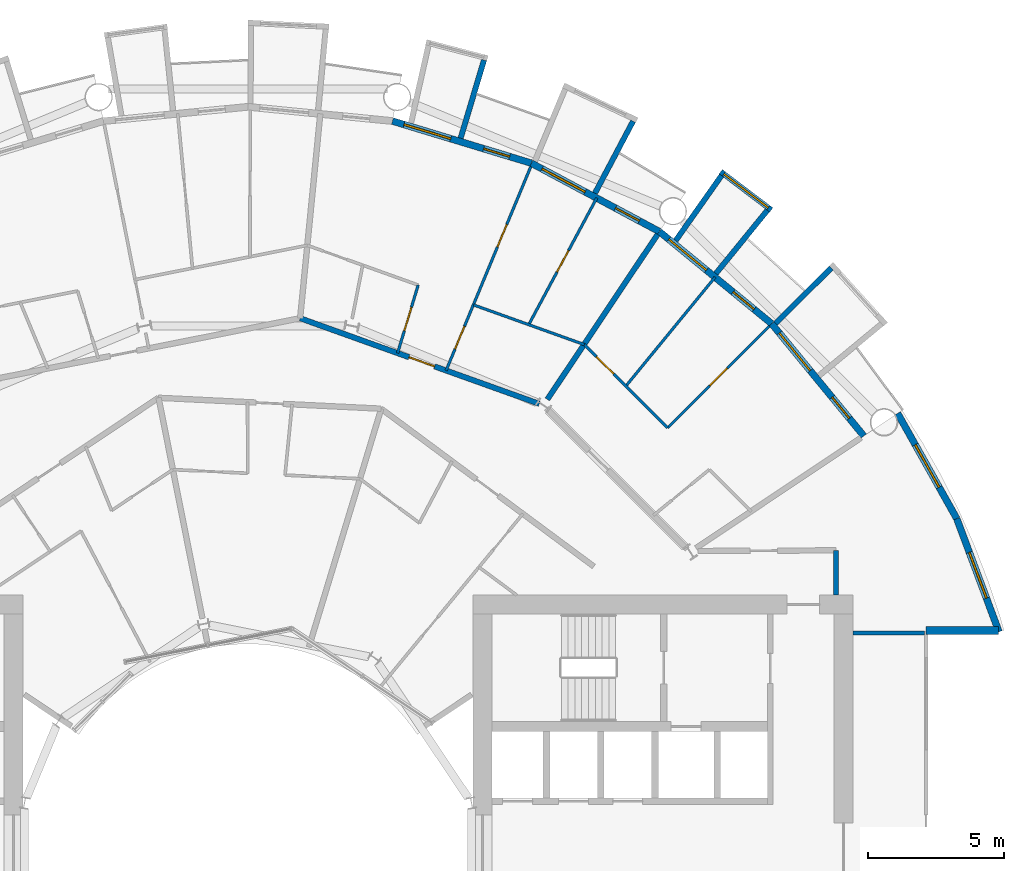
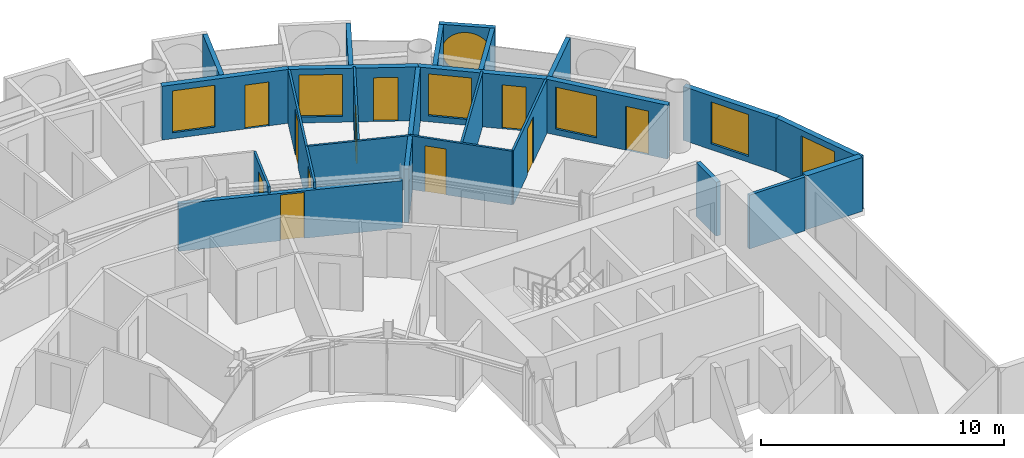
# One storey, part 22 of 26: 24 walls, 11 doors, 7 windows, 18 openings.
"""IFC4 building model written with IfcOpenShell, lengths in metres."""

from ifc_helpers import new_model, si_unit, direction, frame, frame_2d, origin, place, context, subcontext, project, spatial, rectangle, circle, extrude, material, layer, layer_set, type_object, element, fill, save


model = new_model("IFC4")

# Units and contexts
model_context = context("Model", 3, precision=1e-05, world=origin(), true_north=direction((0.0, 1.0)))
body_context = subcontext(model_context, "Body", "Model", "MODEL_VIEW")
ifc_project = project(units=[si_unit("LENGTHUNIT", "METRE"), si_unit("AREAUNIT", "SQUARE_METRE"), si_unit("VOLUMEUNIT", "CUBIC_METRE"), si_unit("PLANEANGLEUNIT", "RADIAN"), si_unit("MASSUNIT", "GRAM", prefix="KILO")], contexts=[model_context])

# Site, building, storey
site_placement = place(None, origin())
site = spatial("IfcSite", under=ifc_project, at=site_placement, CompositionType="ELEMENT")
building_placement = place(site_placement, origin())
building = spatial("IfcBuilding", under=site, at=building_placement, Name="Maasbend Ring Residences", CompositionType="ELEMENT")
storey_placement = place(building_placement, frame((0.0, 0.0, 63.60009765625)))
storey = spatial("IfcBuildingStorey", under=building, at=storey_placement, Name="L17", CompositionType="ELEMENT", Elevation=63.60009765625)

# Wall
ifc_material_1 = material(Name="Concrete C30/37", Category="concrete")
ifc_layer_1 = layer(ifc_material_1, 0.199951171875)
ifc_layer_set_1 = layer_set([ifc_layer_1], Name="Concrete C30/37")
wall_type_1 = type_object("IfcWallType", Name="CORRIDOR WALL 200 CONCRETE", PredefinedType="PARTITIONING", material=ifc_layer_set_1)
wall_1_placement = place(storey_placement, frame((21.675048828125, 9.300048828125, 0.0), z_axis=(0.0, 0.0, 1.0), x_axis=(0.0, 1.0, 0.0)))
element("IfcWall", 1, at=wall_1_placement, inside=storey, type_object=wall_type_1, Name="U-L17-w006", PredefinedType="PARTITIONING", context=body_context, shape_type="SweptSolid", body=[
    extrude(rectangle(XDim=1.64990234375, YDim=0.199951171875, at=frame_2d((0.824951171875, 0.0))), origin(), (0.0, 0.0, 1.0), 2.699951171875),
])

# Wall, opening, door
wall_2_placement = place(storey_placement, frame((1.924072265625, 19.5048828125, 0.0), z_axis=(0.0, 0.0, 1.0), x_axis=(0.941497449807, -0.337020106237, 0.0)))
wall_2 = element("IfcWall", 2, at=wall_2_placement, inside=storey, type_object=wall_type_1, Name="U-L17-w106", PredefinedType="PARTITIONING", context=body_context, shape_type="SweptSolid", body=[
    extrude(rectangle(XDim=9.36376953125, YDim=0.199951171875, at=frame_2d((4.681884765625, 0.0))), origin(), (0.0, 0.0, 1.0), 2.3798828125),
])
opening_1_placement = place(wall_2_placement, frame((4.259033203125, 0.0, 0.0)))
opening_1 = element("IfcOpeningElement", 3, at=opening_1_placement, cuts=wall_2, Name="Opening D-1705", PredefinedType="OPENING", context=body_context, shape_type="SweptSolid", body=[
    extrude(rectangle(XDim=1.0, YDim=2.300048828125, at=frame_2d((0.5, 1.14990234375))), frame((0.0, 0.10986328125, 0.0), z_axis=(0.0, -1.0, 0.0), x_axis=(1.0, 0.0, 0.0)), (0.0, 0.0, 1.0), 0.219970703125),
])
ifc_material_2 = material(Name="Timber, fire-rated, painted", Category="wood")
door_type_1 = type_object("IfcDoorType", Name="FLAT ENTRANCE DOOR 1000 X 2300 FIRE-RATED", OperationType="NOTDEFINED", PredefinedType="DOOR", material=ifc_material_2)
door_1_placement = place(opening_1_placement, origin())
door_1 = element("IfcDoor", 4, at=door_1_placement, inside=storey, type_object=door_type_1, Name="D-1705", OperationType="SINGLE_SWING_RIGHT", OverallHeight=2.300048828125, OverallWidth=1.0, PredefinedType="DOOR", context=body_context, shape_type="SweptSolid", body=[
    extrude(rectangle(XDim=1.0, YDim=2.300048828125, at=frame_2d((0.5, 1.14990234375))), frame((0.0, 0.02490234375, 0.0), z_axis=(0.0, -1.0, 0.0), x_axis=(1.0, 0.0, 0.0)), (0.0, 0.0, 1.0), 0.050048828125),
])
fill(opening_1, door_1)

# Wall
ifc_material_3 = material(Name="Pale anodised aluminium panel", Category="aluminium")
ifc_layer_2 = layer(ifc_material_3, 0.199951171875)
ifc_layer_set_2 = layer_set([ifc_layer_2], Name="EW-BOX")
wall_type_2 = type_object("IfcWallType", Name="EW-BOX", PredefinedType="SOLIDWALL", material=ifc_layer_set_2)
wall_3_placement = place(storey_placement, frame((19.449951171875, 19.322998046875, -0.030029296875), z_axis=(0.0, 0.0, 1.0), x_axis=(0.709727076896, 0.704476739375, 0.0)))
element("IfcWall", 5, at=wall_3_placement, inside=storey, type_object=wall_type_2, Name="Box side wall N02 right", PredefinedType="SOLIDWALL", context=body_context, shape_type="SweptSolid", body=[
    extrude(rectangle(XDim=2.883056640625, YDim=0.199951171875, at=frame_2d((1.44140625, 0.0))), origin(), (0.0, 0.0, 1.0), 2.72998046875),
])

# Wall, opening, window
wall_4_placement = place(storey_placement, frame((19.2890625, 23.4970703125, -0.030029296875), z_axis=(0.0, 0.0, 1.0), x_axis=(-0.796842165306, 0.60418752353, 0.0)))
wall_4 = element("IfcWall", 6, at=wall_4_placement, inside=storey, type_object=wall_type_2, Name="Box front N04", PredefinedType="SOLIDWALL", context=body_context, shape_type="SweptSolid", body=[
    extrude(rectangle(XDim=2.3369140625, YDim=0.199951171875, at=frame_2d((1.16845703125, 0.0))), origin(), (0.0, 0.0, 1.0), 2.72998046875),
])
opening_2_placement = place(wall_4_placement, frame((0.128173828125, 0.0, 0.330078125)))
opening_2 = element("IfcOpeningElement", 7, at=opening_2_placement, cuts=wall_4, Name="Opening W-RD", PredefinedType="OPENING", context=body_context, shape_type="SweptSolid", body=[
    extrude(circle(Radius=1.0400390625, at=frame_2d((1.0400390625, 1.0400390625))), frame((0.0, 0.10986328125, 0.0), z_axis=(0.0, -1.0, 0.0), x_axis=(1.0, 0.0, 0.0)), (0.0, 0.0, 1.0), 0.219970703125),
])
ifc_material_4 = material(Name="Aluminium and clear glass", Category="aluminium")
window_type_1 = type_object("IfcWindowType", Name="W-RD", PartitioningType="SINGLE_PANEL", PredefinedType="WINDOW", material=ifc_material_4)
window_1_placement = place(opening_2_placement, origin())
window_1 = element("IfcWindow", 8, at=window_1_placement, inside=storey, type_object=window_type_1, Name="Round window N04", OverallHeight=2.080078125, OverallWidth=2.080078125, PartitioningType="SINGLE_PANEL", PredefinedType="WINDOW", context=body_context, shape_type="SweptSolid", body=[
    extrude(circle(Radius=1.0400390625, at=frame_2d((1.0400390625, 1.0400390625))), frame((0.0, 0.030029296875, 0.0), z_axis=(0.0, -1.0, 0.0), x_axis=(1.0, 0.0, 0.0)), (0.0, 0.0, 1.0), 0.06005859375),
])
fill(opening_2, window_1)

# Walls
wall_5_placement = place(storey_placement, frame((17.24609375, 21.155029296875, -0.030029296875), z_axis=(0.0, 0.0, 1.0), x_axis=(0.631741648902, 0.775179004516, 0.0)))
element("IfcWall", 9, at=wall_5_placement, inside=storey, type_object=wall_type_2, Name="Box side wall N04 left", PredefinedType="SOLIDWALL", context=body_context, shape_type="SweptSolid", body=[
    extrude(rectangle(XDim=3.005859375, YDim=0.199951171875, at=frame_2d((1.5029296875, 0.0))), origin(), (0.0, 0.0, 1.0), 2.72998046875),
])
wall_6_placement = place(storey_placement, frame((15.764892578125, 22.3701171875, -0.030029296875), z_axis=(0.0, 0.0, 1.0), x_axis=(0.576274612209, 0.817256123454, 0.0)))
element("IfcWall", 10, at=wall_6_placement, inside=storey, type_object=wall_type_2, Name="Box side wall N04 right", PredefinedType="SOLIDWALL", context=body_context, shape_type="SweptSolid", body=[
    extrude(rectangle(XDim=2.932861328125, YDim=0.199951171875, at=frame_2d((1.46630859375, 0.0))), origin(), (0.0, 0.0, 1.0), 2.72998046875),
])
wall_7_placement = place(storey_placement, frame((12.787109375, 24.113037109375, -0.030029296875), z_axis=(0.0, 0.0, 1.0), x_axis=(0.468365282436, 0.883534924159, 0.0)))
element("IfcWall", 11, at=wall_7_placement, inside=storey, type_object=wall_type_2, Name="Box side wall N06 left", PredefinedType="SOLIDWALL", context=body_context, shape_type="SweptSolid", body=[
    extrude(rectangle(XDim=3.006103515625, YDim=0.199951171875, at=frame_2d((1.5029296875, 0.0))), origin(), (0.0, 0.0, 1.0), 2.72998046875),
])
wall_8_placement = place(storey_placement, frame((7.8369140625, 26.14404296875, -0.030029296875), z_axis=(0.0, 0.0, 1.0), x_axis=(0.287064767992, 0.957911174889, 0.0)))
element("IfcWall", 12, at=wall_8_placement, inside=storey, type_object=wall_type_2, Name="Box side wall N08 left", PredefinedType="SOLIDWALL", context=body_context, shape_type="SweptSolid", body=[
    extrude(rectangle(XDim=3.00634765625, YDim=0.199951171875, at=frame_2d((1.503173828125, 0.0))), origin(), (0.0, 0.0, 1.0), 2.72998046875),
])

# Wall, openings, door, window
ifc_material_5 = material(Name="Aluminium clad insulated panel", Category="aluminium")
ifc_layer_3 = layer(ifc_material_5, 0.25)
ifc_layer_set_3 = layer_set([ifc_layer_3], Name="EW-GL")
wall_type_3 = type_object("IfcWallType", Name="EW-GL", PredefinedType="SOLIDWALL", material=ifc_layer_set_3)
wall_9_placement = place(storey_placement, frame((22.698974609375, 15.1669921875, 0.0), z_axis=(0.0, 0.0, 1.0), x_axis=(-0.634382322723, 0.773019449054, 0.0)))
wall_9 = element("IfcWall", 13, at=wall_9_placement, inside=storey, type_object=wall_type_3, Name="External wall N01", PredefinedType="SOLIDWALL", context=body_context, shape_type="SweptSolid", body=[
    extrude(rectangle(XDim=5.351806640625, YDim=0.25, at=frame_2d((2.67578125, 0.0))), origin(), (0.0, 0.0, 1.0), 2.699951171875),
])
opening_3_placement = place(wall_9_placement, frame((0.841064453125, 0.0, 0.0)))
opening_3 = element("IfcOpeningElement", 14, at=opening_3_placement, cuts=wall_9, Name="Opening D-LG", PredefinedType="OPENING", context=body_context, shape_type="SweptSolid", body=[
    extrude(rectangle(XDim=1.0, YDim=2.199951171875, at=frame_2d((0.5, 1.10009765625))), frame((0.0, 0.135009765625, 0.0), z_axis=(0.0, -1.0, 0.0), x_axis=(1.0, 0.0, 0.0)), (0.0, 0.0, 1.0), 0.27001953125),
])
opening_4_placement = place(wall_9_placement, frame((3.110595703125, 0.0, 0.300048828125)))
opening_4 = element("IfcOpeningElement", 15, at=opening_4_placement, cuts=wall_9, Name="Opening W-BX", PredefinedType="OPENING", context=body_context, shape_type="SweptSolid", body=[
    extrude(rectangle(XDim=1.800048828125, YDim=2.10009765625, at=frame_2d((0.89990234375, 1.050048828125))), frame((0.0, 0.135009765625, 0.0), z_axis=(0.0, -1.0, 0.0), x_axis=(1.0, 0.0, 0.0)), (0.0, 0.0, 1.0), 0.27001953125),
])
ifc_material_6 = material(Name="Aluminium and clear glass", Category="aluminium")
door_type_2 = type_object("IfcDoorType", Name="D-LG", OperationType="SINGLE_SWING_LEFT", PredefinedType="DOOR", material=ifc_material_6)
door_2_placement = place(opening_3_placement, origin())
door_2 = element("IfcDoor", 16, at=door_2_placement, inside=storey, type_object=door_type_2, Name="Loggia door N01", OperationType="SINGLE_SWING_LEFT", OverallHeight=2.199951171875, OverallWidth=1.0, PredefinedType="DOOR", context=body_context, shape_type="SweptSolid", body=[
    extrude(rectangle(XDim=1.0, YDim=2.199951171875, at=frame_2d((0.5, 1.10009765625))), frame((0.0, 0.02490234375, 0.0), z_axis=(0.0, -1.0, 0.0), x_axis=(1.0, 0.0, 0.0)), (0.0, 0.0, 1.0), 0.050048828125),
])
fill(opening_3, door_2)
ifc_material_7 = material(Name="Aluminium and clear glass", Category="aluminium")
window_type_2 = type_object("IfcWindowType", Name="W-BX", PartitioningType="DOUBLE_PANEL_VERTICAL", PredefinedType="WINDOW", material=ifc_material_7)
window_2_placement = place(opening_4_placement, origin())
window_2 = element("IfcWindow", 17, at=window_2_placement, inside=storey, type_object=window_type_2, Name="Window N02 room to box", OverallHeight=2.10009765625, OverallWidth=1.800048828125, PartitioningType="SINGLE_PANEL", PredefinedType="WINDOW", context=body_context, shape_type="SweptSolid", body=[
    extrude(rectangle(XDim=1.800048828125, YDim=2.10009765625, at=frame_2d((0.89990234375, 1.050048828125))), frame((0.0, 0.030029296875, 0.0), z_axis=(0.0, -1.0, 0.0), x_axis=(1.0, 0.0, 0.0)), (0.0, 0.0, 1.0), 0.06005859375),
])
fill(opening_4, window_2)

wall_10_placement = place(storey_placement, frame((19.303955078125, 19.303955078125, 0.0), z_axis=(0.0, 0.0, 1.0), x_axis=(-0.773019449054, 0.634382322723, 0.0)))
wall_10 = element("IfcWall", 18, at=wall_10_placement, inside=storey, type_object=wall_type_3, Name="External wall N02", PredefinedType="SOLIDWALL", context=body_context, shape_type="SweptSolid", body=[
    extrude(rectangle(XDim=5.351806640625, YDim=0.25, at=frame_2d((2.67578125, 0.0))), origin(), (0.0, 0.0, 1.0), 2.699951171875),
])
opening_5_placement = place(wall_10_placement, frame((0.841064453125, 0.0, 0.0)))
opening_5 = element("IfcOpeningElement", 19, at=opening_5_placement, cuts=wall_10, Name="Opening D-LG", PredefinedType="OPENING", context=body_context, shape_type="SweptSolid", body=[
    extrude(rectangle(XDim=1.0, YDim=2.199951171875, at=frame_2d((0.5, 1.10009765625))), frame((0.0, 0.135009765625, 0.0), z_axis=(0.0, -1.0, 0.0), x_axis=(1.0, 0.0, 0.0)), (0.0, 0.0, 1.0), 0.27001953125),
])
opening_6_placement = place(wall_10_placement, frame((3.110595703125, 0.0, 0.300048828125)))
opening_6 = element("IfcOpeningElement", 20, at=opening_6_placement, cuts=wall_10, Name="Opening W-BX", PredefinedType="OPENING", context=body_context, shape_type="SweptSolid", body=[
    extrude(rectangle(XDim=1.800048828125, YDim=2.10009765625, at=frame_2d((0.89990234375, 1.050048828125))), frame((0.0, 0.135009765625, 0.0), z_axis=(0.0, -1.0, 0.0), x_axis=(1.0, 0.0, 0.0)), (0.0, 0.0, 1.0), 0.27001953125),
])
door_3_placement = place(opening_5_placement, origin())
door_3 = element("IfcDoor", 21, at=door_3_placement, inside=storey, type_object=door_type_2, Name="Loggia door N03", OperationType="SINGLE_SWING_LEFT", OverallHeight=2.199951171875, OverallWidth=1.0, PredefinedType="DOOR", context=body_context, shape_type="SweptSolid", body=[
    extrude(rectangle(XDim=1.0, YDim=2.199951171875, at=frame_2d((0.5, 1.10009765625))), frame((0.0, 0.02490234375, 0.0), z_axis=(0.0, -1.0, 0.0), x_axis=(1.0, 0.0, 0.0)), (0.0, 0.0, 1.0), 0.050048828125),
])
fill(opening_5, door_3)
window_3_placement = place(opening_6_placement, origin())
window_3 = element("IfcWindow", 22, at=window_3_placement, inside=storey, type_object=window_type_2, Name="Window N04 room to box", OverallHeight=2.10009765625, OverallWidth=1.800048828125, PartitioningType="SINGLE_PANEL", PredefinedType="WINDOW", context=body_context, shape_type="SweptSolid", body=[
    extrude(rectangle(XDim=1.800048828125, YDim=2.10009765625, at=frame_2d((0.89990234375, 1.050048828125))), frame((0.0, 0.030029296875, 0.0), z_axis=(0.0, -1.0, 0.0), x_axis=(1.0, 0.0, 0.0)), (0.0, 0.0, 1.0), 0.06005859375),
])
fill(opening_6, window_3)

wall_11_placement = place(storey_placement, frame((15.1669921875, 22.698974609375, 0.0), z_axis=(0.0, 0.0, 1.0), x_axis=(-0.881915646801, 0.471407246368, 0.0)))
wall_11 = element("IfcWall", 23, at=wall_11_placement, inside=storey, type_object=wall_type_3, Name="External wall N03", PredefinedType="SOLIDWALL", context=body_context, shape_type="SweptSolid", body=[
    extrude(rectangle(XDim=5.35205078125, YDim=0.25, at=frame_2d((2.676025390625, 0.0))), origin(), (0.0, 0.0, 1.0), 2.699951171875),
])
opening_7_placement = place(wall_11_placement, frame((0.841064453125, 0.0, 0.0)))
opening_7 = element("IfcOpeningElement", 24, at=opening_7_placement, cuts=wall_11, Name="Opening D-LG", PredefinedType="OPENING", context=body_context, shape_type="SweptSolid", body=[
    extrude(rectangle(XDim=1.0, YDim=2.199951171875, at=frame_2d((0.5, 1.10009765625))), frame((0.0, 0.135009765625, 0.0), z_axis=(0.0, -1.0, 0.0), x_axis=(1.0, 0.0, 0.0)), (0.0, 0.0, 1.0), 0.27001953125),
])
opening_8_placement = place(wall_11_placement, frame((3.110595703125, 0.0, 0.300048828125)))
opening_8 = element("IfcOpeningElement", 25, at=opening_8_placement, cuts=wall_11, Name="Opening W-BX", PredefinedType="OPENING", context=body_context, shape_type="SweptSolid", body=[
    extrude(rectangle(XDim=1.800048828125, YDim=2.10009765625, at=frame_2d((0.89990234375, 1.050048828125))), frame((0.0, 0.135009765625, 0.0), z_axis=(0.0, -1.0, 0.0), x_axis=(1.0, 0.0, 0.0)), (0.0, 0.0, 1.0), 0.27001953125),
])
door_4_placement = place(opening_7_placement, origin())
door_4 = element("IfcDoor", 26, at=door_4_placement, inside=storey, type_object=door_type_2, Name="Loggia door N05", OperationType="SINGLE_SWING_LEFT", OverallHeight=2.199951171875, OverallWidth=1.0, PredefinedType="DOOR", context=body_context, shape_type="SweptSolid", body=[
    extrude(rectangle(XDim=1.0, YDim=2.199951171875, at=frame_2d((0.5, 1.10009765625))), frame((0.0, 0.02490234375, 0.0), z_axis=(0.0, -1.0, 0.0), x_axis=(1.0, 0.0, 0.0)), (0.0, 0.0, 1.0), 0.050048828125),
])
fill(opening_7, door_4)
window_4_placement = place(opening_8_placement, origin())
window_4 = element("IfcWindow", 27, at=window_4_placement, inside=storey, type_object=window_type_2, Name="Window N06 room to box", OverallHeight=2.10009765625, OverallWidth=1.800048828125, PartitioningType="SINGLE_PANEL", PredefinedType="WINDOW", context=body_context, shape_type="SweptSolid", body=[
    extrude(rectangle(XDim=1.800048828125, YDim=2.10009765625, at=frame_2d((0.89990234375, 1.050048828125))), frame((0.0, 0.030029296875, 0.0), z_axis=(0.0, -1.0, 0.0), x_axis=(1.0, 0.0, 0.0)), (0.0, 0.0, 1.0), 0.06005859375),
])
fill(opening_8, window_4)

wall_12_placement = place(storey_placement, frame((10.447021484375, 25.221923828125, 0.0), z_axis=(0.0, 0.0, 1.0), x_axis=(-0.956965678721, 0.290201119486, 0.0)))
wall_12 = element("IfcWall", 28, at=wall_12_placement, inside=storey, type_object=wall_type_3, Name="External wall N04", PredefinedType="SOLIDWALL", context=body_context, shape_type="SweptSolid", body=[
    extrude(rectangle(XDim=5.351318359375, YDim=0.25, at=frame_2d((2.67578125, 0.0))), origin(), (0.0, 0.0, 1.0), 2.699951171875),
])
opening_9_placement = place(wall_12_placement, frame((0.841064453125, 0.0, 0.0)))
opening_9 = element("IfcOpeningElement", 29, at=opening_9_placement, cuts=wall_12, Name="Opening D-LG", PredefinedType="OPENING", context=body_context, shape_type="SweptSolid", body=[
    extrude(rectangle(XDim=1.0, YDim=2.199951171875, at=frame_2d((0.5, 1.10009765625))), frame((0.0, 0.135009765625, 0.0), z_axis=(0.0, -1.0, 0.0), x_axis=(1.0, 0.0, 0.0)), (0.0, 0.0, 1.0), 0.27001953125),
])
opening_10_placement = place(wall_12_placement, frame((3.110595703125, 0.0, 0.300048828125)))
opening_10 = element("IfcOpeningElement", 30, at=opening_10_placement, cuts=wall_12, Name="Opening W-BX", PredefinedType="OPENING", context=body_context, shape_type="SweptSolid", body=[
    extrude(rectangle(XDim=1.800048828125, YDim=2.10009765625, at=frame_2d((0.89990234375, 1.050048828125))), frame((0.0, 0.135009765625, 0.0), z_axis=(0.0, -1.0, 0.0), x_axis=(1.0, 0.0, 0.0)), (0.0, 0.0, 1.0), 0.27001953125),
])
door_5_placement = place(opening_9_placement, origin())
door_5 = element("IfcDoor", 31, at=door_5_placement, inside=storey, type_object=door_type_2, Name="Loggia door N07", OperationType="SINGLE_SWING_LEFT", OverallHeight=2.199951171875, OverallWidth=1.0, PredefinedType="DOOR", context=body_context, shape_type="SweptSolid", body=[
    extrude(rectangle(XDim=1.0, YDim=2.199951171875, at=frame_2d((0.5, 1.10009765625))), frame((0.0, 0.02490234375, 0.0), z_axis=(0.0, -1.0, 0.0), x_axis=(1.0, 0.0, 0.0)), (0.0, 0.0, 1.0), 0.050048828125),
])
fill(opening_9, door_5)
window_5_placement = place(opening_10_placement, origin())
window_5 = element("IfcWindow", 32, at=window_5_placement, inside=storey, type_object=window_type_2, Name="Window N08 room to box", OverallHeight=2.10009765625, OverallWidth=1.800048828125, PartitioningType="SINGLE_PANEL", PredefinedType="WINDOW", context=body_context, shape_type="SweptSolid", body=[
    extrude(rectangle(XDim=1.800048828125, YDim=2.10009765625, at=frame_2d((0.89990234375, 1.050048828125))), frame((0.0, 0.030029296875, 0.0), z_axis=(0.0, -1.0, 0.0), x_axis=(1.0, 0.0, 0.0)), (0.0, 0.0, 1.0), 0.06005859375),
])
fill(opening_10, window_5)

# Wall, opening, window
ifc_material_8 = material(Name="Aluminium clad insulated panel", Category="aluminium")
ifc_layer_4 = layer(ifc_material_8, 0.25)
ifc_layer_set_4 = layer_set([ifc_layer_4], Name="EW-HORN")
wall_type_4 = type_object("IfcWallType", Name="EW-HORN", PredefinedType="SOLIDWALL", material=ifc_layer_set_4)
wall_13_placement = place(storey_placement, frame((27.681884765625, 7.945068359375, 0.0), z_axis=(0.0, 0.0, 1.0), x_axis=(-0.349247811493, 0.937030397675, 0.0)))
wall_13 = element("IfcWall", 33, at=wall_13_placement, inside=storey, type_object=wall_type_4, Name="Horn wall 1.1", PredefinedType="SOLIDWALL", context=body_context, shape_type="SweptSolid", body=[
    extrude(rectangle(XDim=4.4521484375, YDim=0.25, at=frame_2d((2.22607421875, 0.0))), origin(), (0.0, 0.0, 1.0), 2.699951171875),
])
opening_11_placement = place(wall_13_placement, frame((1.32666015625, 0.0, 0.300048828125)))
opening_11 = element("IfcOpeningElement", 34, at=opening_11_placement, cuts=wall_13, Name="Opening W-BX", PredefinedType="OPENING", context=body_context, shape_type="SweptSolid", body=[
    extrude(rectangle(XDim=1.800048828125, YDim=2.10009765625, at=frame_2d((0.89990234375, 1.050048828125))), frame((0.0, 0.135009765625, 0.0), z_axis=(0.0, -1.0, 0.0), x_axis=(1.0, 0.0, 0.0)), (0.0, 0.0, 1.0), 0.27001953125),
])
window_6_placement = place(opening_11_placement, origin())
window_6 = element("IfcWindow", 35, at=window_6_placement, inside=storey, type_object=window_type_2, Name="Horn window 1.1", OverallHeight=2.10009765625, OverallWidth=1.800048828125, PartitioningType="SINGLE_PANEL", PredefinedType="WINDOW", context=body_context, shape_type="SweptSolid", body=[
    extrude(rectangle(XDim=1.800048828125, YDim=2.10009765625, at=frame_2d((0.89990234375, 1.050048828125))), frame((0.0, 0.030029296875, 0.0), z_axis=(0.0, -1.0, 0.0), x_axis=(1.0, 0.0, 0.0)), (0.0, 0.0, 1.0), 0.06005859375),
])
fill(opening_11, window_6)

wall_14_placement = place(storey_placement, frame((26.126953125, 12.116943359375, 0.0), z_axis=(0.0, 0.0, 1.0), x_axis=(-0.489696356642, 0.871893042919, 0.0)))
wall_14 = element("IfcWall", 36, at=wall_14_placement, inside=storey, type_object=wall_type_4, Name="Horn wall 1.2", PredefinedType="SOLIDWALL", context=body_context, shape_type="SweptSolid", body=[
    extrude(rectangle(XDim=4.45361328125, YDim=0.25, at=frame_2d((2.226806640625, 0.0))), origin(), (0.0, 0.0, 1.0), 2.699951171875),
])
opening_12_placement = place(wall_14_placement, frame((1.32666015625, 0.0, 0.300048828125)))
opening_12 = element("IfcOpeningElement", 37, at=opening_12_placement, cuts=wall_14, Name="Opening W-BX", PredefinedType="OPENING", context=body_context, shape_type="SweptSolid", body=[
    extrude(rectangle(XDim=1.800048828125, YDim=2.10009765625, at=frame_2d((0.89990234375, 1.050048828125))), frame((0.0, 0.135009765625, 0.0), z_axis=(0.0, -1.0, 0.0), x_axis=(1.0, 0.0, 0.0)), (0.0, 0.0, 1.0), 0.27001953125),
])
window_7_placement = place(opening_12_placement, origin())
window_7 = element("IfcWindow", 38, at=window_7_placement, inside=storey, type_object=window_type_2, Name="Horn window 1.2", OverallHeight=2.10009765625, OverallWidth=1.800048828125, PartitioningType="SINGLE_PANEL", PredefinedType="WINDOW", context=body_context, shape_type="SweptSolid", body=[
    extrude(rectangle(XDim=1.800048828125, YDim=2.10009765625, at=frame_2d((0.89990234375, 1.050048828125))), frame((0.0, 0.030029296875, 0.0), z_axis=(0.0, -1.0, 0.0), x_axis=(1.0, 0.0, 0.0)), (0.0, 0.0, 1.0), 0.06005859375),
])
fill(opening_12, window_7)

# Wall
ifc_material_9 = material(Name="Aluminium clad insulated panel", Category="aluminium")
ifc_layer_5 = layer(ifc_material_9, 0.300048828125)
ifc_layer_set_5 = layer_set([ifc_layer_5], Name="EW-RET")
wall_type_5 = type_object("IfcWallType", Name="EW-RET", PredefinedType="SOLIDWALL", material=ifc_layer_set_5)
wall_15_placement = place(storey_placement, frame((25.0, 8.0, 0.0), z_axis=(0.0, 0.0, 1.0), x_axis=(1.0, 0.0, 0.0)))
element("IfcWall", 39, at=wall_15_placement, inside=storey, type_object=wall_type_5, Name="Notch return wall east north", PredefinedType="SOLIDWALL", context=body_context, shape_type="SweptSolid", body=[
    extrude(rectangle(XDim=2.6669921875, YDim=0.300048828125, at=frame_2d((1.33349609375, 0.0))), origin(), (0.0, 0.0, 1.0), 2.699951171875),
])

# Wall, opening, door
ifc_material_10 = material(Name="Gypsum board on steel studs", Category="steel")
ifc_layer_6 = layer(ifc_material_10, 0.10009765625)
ifc_layer_set_6 = layer_set([ifc_layer_6], Name="PARTITION 100 GYPSUM")
wall_type_6 = type_object("IfcWallType", Name="PARTITION 100 GYPSUM", PredefinedType="PARTITIONING", material=ifc_layer_set_6)
wall_16_placement = place(storey_placement, frame((5.512939453125, 18.219970703125, 0.0), z_axis=(0.0, 0.0, 1.0), x_axis=(0.289456951726, 0.957191032709, 0.0)))
wall_16 = element("IfcWall", 40, at=wall_16_placement, inside=storey, type_object=wall_type_6, Name="U-L17-w071", PredefinedType="PARTITIONING", context=body_context, shape_type="SweptSolid", body=[
    extrude(rectangle(XDim=2.622314453125, YDim=0.10009765625, at=frame_2d((1.31103515625, 0.0))), origin(), (0.0, 0.0, 1.0), 2.699951171875),
])
opening_13_placement = place(wall_16_placement, frame((0.862060546875, 0.0, 0.0)))
opening_13 = element("IfcOpeningElement", 41, at=opening_13_placement, cuts=wall_16, Name="Opening D-1707", PredefinedType="OPENING", context=body_context, shape_type="SweptSolid", body=[
    extrude(rectangle(XDim=0.89990234375, YDim=2.300048828125, at=frame_2d((0.449951171875, 1.14990234375))), frame((0.0, 0.06005859375, 0.0), z_axis=(0.0, -1.0, 0.0), x_axis=(1.0, 0.0, 0.0)), (0.0, 0.0, 1.0), 0.1201171875),
])
ifc_material_11 = material(Name="Timber, painted", Category="wood")
door_type_3 = type_object("IfcDoorType", Name="INTERNAL DOOR 900 X 2300", OperationType="NOTDEFINED", PredefinedType="DOOR", material=ifc_material_11)
door_6_placement = place(opening_13_placement, origin())
door_6 = element("IfcDoor", 42, at=door_6_placement, inside=storey, type_object=door_type_3, Name="D-1707", OperationType="SINGLE_SWING_RIGHT", OverallHeight=2.300048828125, OverallWidth=0.89990234375, PredefinedType="DOOR", context=body_context, shape_type="SweptSolid", body=[
    extrude(rectangle(XDim=0.89990234375, YDim=2.300048828125, at=frame_2d((0.449951171875, 1.14990234375))), frame((0.0, 0.02490234375, 0.0), z_axis=(0.0, -1.0, 0.0), x_axis=(1.0, 0.0, 0.0)), (0.0, 0.0, 1.0), 0.050048828125),
])
fill(opening_13, door_6)

# Wall, openings, doors
wall_17_placement = place(storey_placement, frame((7.302001953125, 17.580078125, 0.0), z_axis=(0.0, 0.0, 1.0), x_axis=(0.383616168183, 0.923492628833, 0.0)))
wall_17 = element("IfcWall", 43, at=wall_17_placement, inside=storey, type_object=wall_type_6, Name="U-L17-w074", PredefinedType="PARTITIONING", context=body_context, shape_type="SweptSolid", body=[
    extrude(rectangle(XDim=8.138427734375, YDim=0.10009765625, at=frame_2d((4.0693359375, 0.0))), origin(), (0.0, 0.0, 1.0), 2.699951171875),
])
opening_14_placement = place(wall_17_placement, frame((0.861083984375, 0.0, 0.0)))
opening_14 = element("IfcOpeningElement", 44, at=opening_14_placement, cuts=wall_17, Name="Opening D-1708", PredefinedType="OPENING", context=body_context, shape_type="SweptSolid", body=[
    extrude(rectangle(XDim=0.89990234375, YDim=2.300048828125, at=frame_2d((0.449951171875, 1.14990234375))), frame((0.0, 0.06005859375, 0.0), z_axis=(0.0, -1.0, 0.0), x_axis=(1.0, 0.0, 0.0)), (0.0, 0.0, 1.0), 0.1201171875),
])
opening_15_placement = place(wall_17_placement, frame((4.930908203125, 0.0, 0.0)))
opening_15 = element("IfcOpeningElement", 45, at=opening_15_placement, cuts=wall_17, Name="Opening D-1709", PredefinedType="OPENING", context=body_context, shape_type="SweptSolid", body=[
    extrude(rectangle(XDim=0.89990234375, YDim=2.300048828125, at=frame_2d((0.449951171875, 1.14990234375))), frame((0.0, 0.06005859375, 0.0), z_axis=(0.0, -1.0, 0.0), x_axis=(1.0, 0.0, 0.0)), (0.0, 0.0, 1.0), 0.1201171875),
])
door_7_placement = place(opening_14_placement, origin())
door_7 = element("IfcDoor", 46, at=door_7_placement, inside=storey, type_object=door_type_3, Name="D-1708", OperationType="SINGLE_SWING_LEFT", OverallHeight=2.300048828125, OverallWidth=0.89990234375, PredefinedType="DOOR", context=body_context, shape_type="SweptSolid", body=[
    extrude(rectangle(XDim=0.89990234375, YDim=2.300048828125, at=frame_2d((0.449951171875, 1.14990234375))), frame((0.0, 0.02490234375, 0.0), z_axis=(0.0, -1.0, 0.0), x_axis=(1.0, 0.0, 0.0)), (0.0, 0.0, 1.0), 0.050048828125),
])
fill(opening_14, door_7)
door_8_placement = place(opening_15_placement, origin())
door_8 = element("IfcDoor", 47, at=door_8_placement, inside=storey, type_object=door_type_3, Name="D-1709", OperationType="SINGLE_SWING_RIGHT", OverallHeight=2.300048828125, OverallWidth=0.89990234375, PredefinedType="DOOR", context=body_context, shape_type="SweptSolid", body=[
    extrude(rectangle(XDim=0.89990234375, YDim=2.300048828125, at=frame_2d((0.449951171875, 1.14990234375))), frame((0.0, 0.02490234375, 0.0), z_axis=(0.0, -1.0, 0.0), x_axis=(1.0, 0.0, 0.0)), (0.0, 0.0, 1.0), 0.050048828125),
])
fill(opening_15, door_8)

# Wall, opening, door
wall_18_placement = place(storey_placement, frame((10.34912109375, 19.27197265625, 0.0), z_axis=(0.0, 0.0, 1.0), x_axis=(0.472967735543, 0.881079747319, 0.0)))
wall_18 = element("IfcWall", 48, at=wall_18_placement, inside=storey, type_object=wall_type_6, Name="U-L17-w079", PredefinedType="PARTITIONING", context=body_context, shape_type="SweptSolid", body=[
    extrude(rectangle(XDim=5.30029296875, YDim=0.10009765625, at=frame_2d((2.650146484375, 0.0))), origin(), (0.0, 0.0, 1.0), 2.699951171875),
])
opening_16_placement = place(wall_18_placement, frame((2.199951171875, 0.0, 0.0)))
opening_16 = element("IfcOpeningElement", 49, at=opening_16_placement, cuts=wall_18, Name="Opening D-1710", PredefinedType="OPENING", context=body_context, shape_type="SweptSolid", body=[
    extrude(rectangle(XDim=0.89990234375, YDim=2.300048828125, at=frame_2d((0.449951171875, 1.14990234375))), frame((0.0, 0.06005859375, 0.0), z_axis=(0.0, -1.0, 0.0), x_axis=(1.0, 0.0, 0.0)), (0.0, 0.0, 1.0), 0.1201171875),
])
door_9_placement = place(opening_16_placement, origin())
door_9 = element("IfcDoor", 50, at=door_9_placement, inside=storey, type_object=door_type_3, Name="D-1710", OperationType="SINGLE_SWING_RIGHT", OverallHeight=2.300048828125, OverallWidth=0.89990234375, PredefinedType="DOOR", context=body_context, shape_type="SweptSolid", body=[
    extrude(rectangle(XDim=0.89990234375, YDim=2.300048828125, at=frame_2d((0.449951171875, 1.14990234375))), frame((0.0, 0.02490234375, 0.0), z_axis=(0.0, -1.0, 0.0), x_axis=(1.0, 0.0, 0.0)), (0.0, 0.0, 1.0), 0.050048828125),
])
fill(opening_16, door_9)

# Wall
wall_19_placement = place(storey_placement, frame((13.927001953125, 17.00390625, 0.0), z_axis=(0.0, 0.0, 1.0), x_axis=(0.633774976367, 0.773517471898, 0.0)))
element("IfcWall", 51, at=wall_19_placement, inside=storey, type_object=wall_type_6, Name="U-L17-w084", PredefinedType="PARTITIONING", context=body_context, shape_type="SweptSolid", body=[
    extrude(rectangle(XDim=5.19580078125, YDim=0.10009765625, at=frame_2d((2.597900390625, 0.0))), origin(), (0.0, 0.0, 1.0), 2.699951171875),
])

# Wall, opening, door
wall_20_placement = place(storey_placement, frame((15.465087890625, 15.465087890625, 0.0), z_axis=(0.0, 0.0, 1.0), x_axis=(0.707106781187, 0.707106781187, 0.0)))
wall_20 = element("IfcWall", 52, at=wall_20_placement, inside=storey, type_object=wall_type_6, Name="U-L17-w087", PredefinedType="PARTITIONING", context=body_context, shape_type="SweptSolid", body=[
    extrude(rectangle(XDim=5.3046875, YDim=0.10009765625, at=frame_2d((2.65234375, 0.0))), origin(), (0.0, 0.0, 1.0), 2.699951171875),
])
opening_17_placement = place(wall_20_placement, frame((2.201904296875, 0.0, 0.0)))
opening_17 = element("IfcOpeningElement", 53, at=opening_17_placement, cuts=wall_20, Name="Opening D-1703", PredefinedType="OPENING", context=body_context, shape_type="SweptSolid", body=[
    extrude(rectangle(XDim=0.89990234375, YDim=2.300048828125, at=frame_2d((0.449951171875, 1.14990234375))), frame((0.0, 0.06005859375, 0.0), z_axis=(0.0, -1.0, 0.0), x_axis=(1.0, 0.0, 0.0)), (0.0, 0.0, 1.0), 0.1201171875),
])
door_10_placement = place(opening_17_placement, origin())
door_10 = element("IfcDoor", 54, at=door_10_placement, inside=storey, type_object=door_type_3, Name="D-1703", OperationType="SINGLE_SWING_RIGHT", OverallHeight=2.300048828125, OverallWidth=0.89990234375, PredefinedType="DOOR", context=body_context, shape_type="SweptSolid", body=[
    extrude(rectangle(XDim=0.89990234375, YDim=2.300048828125, at=frame_2d((0.449951171875, 1.14990234375))), frame((0.0, 0.02490234375, 0.0), z_axis=(0.0, -1.0, 0.0), x_axis=(1.0, 0.0, 0.0)), (0.0, 0.0, 1.0), 0.050048828125),
])
fill(opening_17, door_10)

# Wall
wall_21_placement = place(storey_placement, frame((8.318115234375, 19.99609375, 0.0), z_axis=(0.0, 0.0, 1.0), x_axis=(0.941370462946, -0.337374645598, 0.0)))
element("IfcWall", 55, at=wall_21_placement, inside=storey, type_object=wall_type_6, Name="U-L17-w113", PredefinedType="PARTITIONING", context=body_context, shape_type="SweptSolid", body=[
    extrude(rectangle(XDim=4.333984375, YDim=0.10009765625, at=frame_2d((2.1669921875, 0.0))), origin(), (0.0, 0.0, 1.0), 2.699951171875),
])

# Wall, opening, door
wall_22_placement = place(storey_placement, frame((12.388916015625, 18.5419921875, 0.0), z_axis=(0.0, 0.0, 1.0), x_axis=(0.707022606819, -0.707190945535, 0.0)))
wall_22 = element("IfcWall", 56, at=wall_22_placement, inside=storey, type_object=wall_type_6, Name="U-L17-w116", PredefinedType="PARTITIONING", context=body_context, shape_type="SweptSolid", body=[
    extrude(rectangle(XDim=4.350830078125, YDim=0.10009765625, at=frame_2d((2.17529296875, 0.0))), origin(), (0.0, 0.0, 1.0), 2.699951171875),
])
opening_18_placement = place(wall_22_placement, frame((0.638916015625, 0.0, 0.0)))
opening_18 = element("IfcOpeningElement", 57, at=opening_18_placement, cuts=wall_22, Name="Opening D-1704", PredefinedType="OPENING", context=body_context, shape_type="SweptSolid", body=[
    extrude(rectangle(XDim=0.89990234375, YDim=2.300048828125, at=frame_2d((0.449951171875, 1.14990234375))), frame((0.0, 0.06005859375, 0.0), z_axis=(0.0, -1.0, 0.0), x_axis=(1.0, 0.0, 0.0)), (0.0, 0.0, 1.0), 0.1201171875),
])
door_11_placement = place(opening_18_placement, origin())
door_11 = element("IfcDoor", 58, at=door_11_placement, inside=storey, type_object=door_type_3, Name="D-1704", OperationType="SINGLE_SWING_LEFT", OverallHeight=2.300048828125, OverallWidth=0.89990234375, PredefinedType="DOOR", context=body_context, shape_type="SweptSolid", body=[
    extrude(rectangle(XDim=0.89990234375, YDim=2.300048828125, at=frame_2d((0.449951171875, 1.14990234375))), frame((0.0, 0.02490234375, 0.0), z_axis=(0.0, -1.0, 0.0), x_axis=(1.0, 0.0, 0.0)), (0.0, 0.0, 1.0), 0.050048828125),
])
fill(opening_18, door_11)

# Walls
ifc_material_12 = material(Name="Gypsum board on steel studs", Category="steel")
ifc_layer_7 = layer(ifc_material_12, 0.14990234375)
ifc_layer_set_7 = layer_set([ifc_layer_7], Name="PARTITION 150 EI 60")
wall_type_7 = type_object("IfcWallType", Name="PARTITION 150 EI 60", PredefinedType="PARTITIONING", material=ifc_layer_set_7)
wall_23_placement = place(storey_placement, frame((22.300048828125, 7.89990234375, 0.0), z_axis=(0.0, 0.0, 1.0), x_axis=(1.0, 0.0, 0.0)))
element("IfcWall", 59, at=wall_23_placement, inside=storey, type_object=wall_type_7, Name="L17 core E wall CITN", PredefinedType="PARTITIONING", context=body_context, shape_type="SweptSolid", body=[
    extrude(rectangle(XDim=2.639892578125, YDim=0.14990234375, at=frame_2d((1.31982421875, 0.0))), origin(), (0.0, 0.0, 1.0), 2.699951171875),
])
ifc_material_13 = material(Name="Concrete C30/37", Category="concrete")
ifc_layer_8 = layer(ifc_material_13, 0.199951171875)
ifc_layer_set_8 = layer_set([ifc_layer_8], Name="Concrete C30/37")
wall_type_8 = type_object("IfcWallType", Name="PARTY WALL 200 CONCRETE", PredefinedType="PARTITIONING", material=ifc_layer_set_8)
wall_24_placement = place(storey_placement, frame((11.034912109375, 16.514892578125, 0.0), z_axis=(0.0, 0.0, 1.0), x_axis=(0.555516661303, 0.831505405283, 0.0)))
element("IfcWall", 60, at=wall_24_placement, inside=storey, type_object=wall_type_8, Name="U-L17-w080", PredefinedType="PARTITIONING", context=body_context, shape_type="SweptSolid", body=[
    extrude(rectangle(XDim=7.31201171875, YDim=0.199951171875, at=frame_2d((3.656005859375, 0.0))), origin(), (0.0, 0.0, 1.0), 2.699951171875),
])

save(model, "model.ifc")
